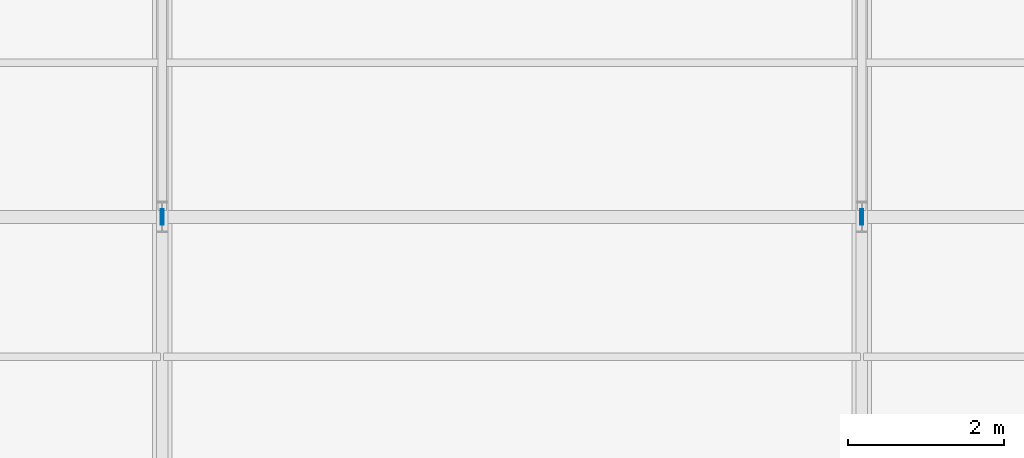
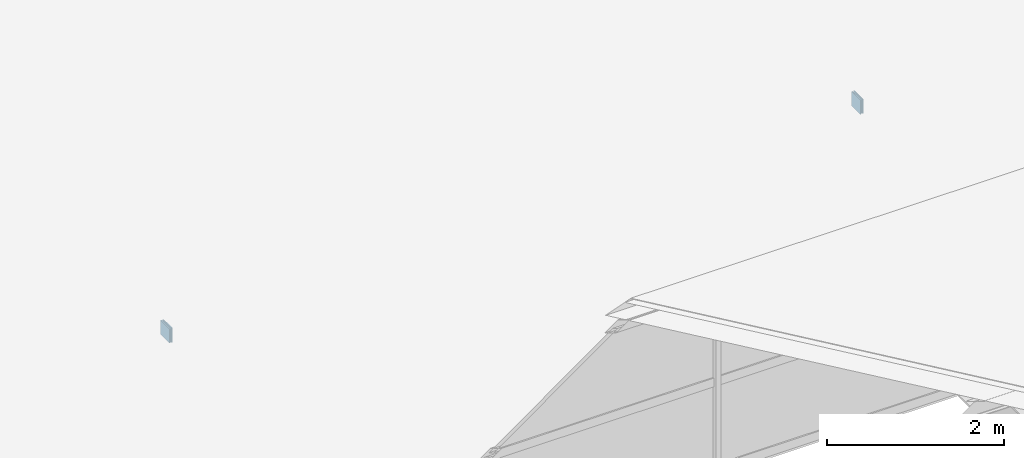
# One storey, part 138 of 163: 4 plates.
"""IFC4 building model written with IfcOpenShell, lengths in metres."""

import ifcopenshell
import ifcopenshell.guid

model = None  # the IFC model being written
_history = None  # IfcOwnerHistory: only IFC2X3 demands one
_inside = {}  # id of a spatial element -> (the spatial element, [elements in it])
_under = {}  # id of a project, library or spatial element -> (it, [spatial elements below it])
_declared = {}  # id of a project -> (the project, [libraries it declares])
_typed = {}  # id of a type object -> (the type object, [elements of that type])
_made_of = {}  # id of a material, layer set ... -> (it, [elements and type objects made of it])


def new_model(schema):
    """Start an empty IFC model of exactly this schema.

    Asked for "IFC4X3", IfcOpenShell would pick the latest addendum, in which some entities
    have other attributes; the version numbers below select the first issue.
    IFC2X3 requires an IfcOwnerHistory on every rooted entity: one is made here for all.
    """
    global model, _history
    if schema == "IFC4X3":
        model = ifcopenshell.file(schema_version=(4, 3, 0, 0))
    else:
        model = ifcopenshell.file(schema=schema)
    _inside.clear()
    _under.clear()
    _declared.clear()
    _typed.clear()
    _made_of.clear()
    _history = None
    if model.schema == "IFC2X3":
        org = make("IfcOrganization", Name="unknown")
        user = make(
            "IfcPersonAndOrganization",
            ThePerson=make("IfcPerson", FamilyName="unknown"),
            TheOrganization=org,
        )
        app = make(
            "IfcApplication",
            ApplicationDeveloper=org,
            Version="unknown",
            ApplicationFullName="unknown",
            ApplicationIdentifier="unknown",
        )
        _history = make(
            "IfcOwnerHistory",
            OwningUser=user,
            OwningApplication=app,
            ChangeAction="ADDED",
            CreationDate=0,
        )
    return model


def make(cls, **values):
    """One entity of the class cls with the attributes given. An attribute that is None is left unset."""
    return model.create_entity(
        cls, **{name: value for name, value in values.items() if value is not None}
    )


def rooted(cls, **values):
    """An entity with a GlobalId (a new one), such as an element, a storey or a relation."""
    return make(cls, GlobalId=ifcopenshell.guid.new(), OwnerHistory=_history, **values)


def si_unit(unit_type, name, prefix=None):
    """IfcSIUnit, for example si_unit("LENGTHUNIT", "METRE", prefix="MILLI")."""
    return make("IfcSIUnit", UnitType=unit_type, Prefix=prefix, Name=name)


def assignment(units):
    """IfcUnitAssignment: the units of a project."""
    return None if units is None else make("IfcUnitAssignment", Units=units)


def point(xyz):
    """IfcCartesianPoint."""
    return None if xyz is None else make("IfcCartesianPoint", Coordinates=xyz)


def direction(xyz):
    """IfcDirection."""
    return None if xyz is None else make("IfcDirection", DirectionRatios=xyz)


def frame(location, z_axis=None, x_axis=None):
    """IfcAxis2Placement3D, a coordinate frame: its origin and axes. An axis left out is left unset."""
    return make(
        "IfcAxis2Placement3D",
        Location=point(location),
        Axis=direction(z_axis),
        RefDirection=direction(x_axis),
    )


def frame_2d(location, x_axis=None):
    """IfcAxis2Placement2D, a coordinate frame in the plane: its origin and x axis."""
    return make(
        "IfcAxis2Placement2D", Location=point(location), RefDirection=direction(x_axis)
    )


def origin():
    """The frame at (0, 0, 0) with its axes left unset."""
    return frame((0.0, 0.0, 0.0))


def origin_2d():
    """The frame at (0, 0) in the plane with its x axis left unset."""
    return frame_2d((0.0, 0.0))


def place(relative_to, where):
    """IfcLocalPlacement: puts the frame where relative to a parent placement (None: the world)."""
    return make(
        "IfcLocalPlacement", PlacementRelTo=relative_to, RelativePlacement=where
    )


def context(
    kind, dimensions, precision=None, world=None, true_north=None, identifier=None
):
    """IfcGeometricRepresentationContext, for example the 3D "Model" context."""
    return make(
        "IfcGeometricRepresentationContext",
        ContextIdentifier=identifier,
        ContextType=kind,
        CoordinateSpaceDimension=dimensions,
        Precision=precision,
        WorldCoordinateSystem=world,
        TrueNorth=true_north,
    )


def subcontext(parent, identifier, kind, view, scale=None):
    """IfcGeometricRepresentationSubContext, for example "Body" below "Model"."""
    return make(
        "IfcGeometricRepresentationSubContext",
        ContextIdentifier=identifier,
        ContextType=kind,
        ParentContext=parent,
        TargetScale=scale,
        TargetView=view,
    )


def project(units=None, contexts=None):
    """IfcProject with its units and contexts."""
    return rooted(
        "IfcProject",
        Name="project",
        RepresentationContexts=contexts,
        UnitsInContext=assignment(units),
    )


def spatial(cls, under=None, at=None, **own):
    """A site, building, storey or space (cls), placed at a placement, below another one or the project."""
    s = rooted(cls, ObjectPlacement=at, **own)
    if under is not None:
        _under.setdefault(under.id(), (under, []))[1].append(s)
    return s


def profile(cls, at=None, kind="AREA", **sizes):
    """A parametric profile (cls). Its sizes go by their IFC names, for example OverallWidth=200.0."""
    return make(cls, ProfileType=kind, Position=at, **sizes)


def rectangle(**sizes):
    """IfcRectangleProfileDef."""
    return profile("IfcRectangleProfileDef", **sizes)


def extrude(swept, where, along, depth):
    """IfcExtrudedAreaSolid: the profile swept, set in the frame where, extruded along a direction by depth."""
    return make(
        "IfcExtrudedAreaSolid",
        SweptArea=swept,
        Position=where,
        ExtrudedDirection=direction(along),
        Depth=depth,
    )


def shape(context_of_items, identifier, shape_type, items):
    """IfcShapeRepresentation: the items that make up one representation, for example the "Body"."""
    return make(
        "IfcShapeRepresentation",
        ContextOfItems=context_of_items,
        RepresentationIdentifier=identifier,
        RepresentationType=shape_type,
        Items=items,
    )


def material(Name=None, Category=None):
    """IfcMaterial."""
    return make("IfcMaterial", Name=Name, Category=Category)


def layer(
    of_material, thickness, ventilated=None, Name=None, Category=None, Priority=None
):
    """IfcMaterialLayer: one layer of a wall or slab, of a material (None: an air gap)."""
    return make(
        "IfcMaterialLayer",
        Material=of_material,
        LayerThickness=thickness,
        IsVentilated=ventilated,
        Name=Name,
        Category=Category,
        Priority=Priority,
    )


def layer_set(layers, Name=None):
    """IfcMaterialLayerSet."""
    return make("IfcMaterialLayerSet", MaterialLayers=layers, LayerSetName=Name)


def made_of(thing, what):
    """Note that an element or type object is made of a material, layer set ...; save() writes the relation."""
    if what is not None:
        _made_of.setdefault(what.id(), (what, []))[1].append(thing)
    return thing


def type_object(cls, material=None, **own):
    """A type object (cls), such as IfcWallType, which elements share."""
    return made_of(rooted(cls, **own), material)


def element(
    cls,
    number,
    at=None,
    inside=None,
    cuts=None,
    type_object=None,
    material=None,
    context=None,
    identifier="Body",
    shape_type=None,
    held_by="IfcProductDefinitionShape",
    body=None,
    shapes=None,
    **own,
):
    """One element of the class cls, such as IfcWall. Its Tag is "e" and its number.

    at: its placement. inside: the storey or other place that contains it. cuts: it is an
    opening in that element (IfcRelVoidsElement). A single representation is given by context,
    identifier, shape_type and body (its items); several are given by shapes. held_by: the class
    of the entity that holds the representations. save() writes the other relations.
    """
    e = rooted(cls, Tag="e%d" % number, ObjectPlacement=at, **own)
    if body is not None:
        shapes = [shape(context, identifier, shape_type, body)]
    if shapes is not None:
        e.Representation = make(held_by, Representations=shapes)
    if inside is not None:
        _inside.setdefault(inside.id(), (inside, []))[1].append(e)
    if cuts is not None:
        rooted(
            "IfcRelVoidsElement", RelatingBuildingElement=cuts, RelatedOpeningElement=e
        )
    if type_object is not None:
        _typed.setdefault(type_object.id(), (type_object, []))[1].append(e)
    return made_of(e, material)


def aggregate(whole, parts):
    """IfcRelAggregates: a whole, such as a stair, and the parts it consists of."""
    return rooted("IfcRelAggregates", RelatingObject=whole, RelatedObjects=parts)


def save(model, path):
    """Write the relations noted so far, then the file.

    IfcRelAggregates (storeys below a building ...), IfcRelContainedInSpatialStructure (elements
    in a storey), IfcRelDefinesByType, IfcRelAssociatesMaterial and IfcRelDeclares: one each for
    every whole, place, type object, material and project.
    """
    for whole, parts in _under.values():
        aggregate(whole, parts)
    for where, things in _inside.values():
        rooted(
            "IfcRelContainedInSpatialStructure",
            RelatedElements=things,
            RelatingStructure=where,
        )
    for kind, things in _typed.values():
        rooted("IfcRelDefinesByType", RelatedObjects=things, RelatingType=kind)
    for what, things in _made_of.values():
        rooted("IfcRelAssociatesMaterial", RelatedObjects=things, RelatingMaterial=what)
    for by, libraries in _declared.values():
        rooted("IfcRelDeclares", RelatingContext=by, RelatedDefinitions=libraries)
    model.write(path)


model = new_model("IFC4")

# Units and contexts
model_context = context("Model", 3, precision=1e-05, world=origin(), true_north=direction((0.0, 1.0)))
body_context = subcontext(model_context, "Body", "Model", "MODEL_VIEW")
ifc_project = project(units=[si_unit("LENGTHUNIT", "METRE"), si_unit("AREAUNIT", "SQUARE_METRE"), si_unit("VOLUMEUNIT", "CUBIC_METRE"), si_unit("PLANEANGLEUNIT", "RADIAN"), si_unit("MASSUNIT", "GRAM", prefix="KILO")], contexts=[model_context])

# Site, building, storey
site_placement = place(None, origin())
site = spatial("IfcSite", under=ifc_project, at=site_placement, CompositionType="ELEMENT")
building_placement = place(site_placement, origin())
building = spatial("IfcBuilding", under=site, at=building_placement, Name="Tharagai Park Tramway Depot", CompositionType="ELEMENT")
storey_placement = place(building_placement, frame((0.0, 0.0, 8.39990234375)))
storey = spatial("IfcBuildingStorey", under=building, at=storey_placement, Name="L02", CompositionType="ELEMENT", Elevation=8.39990234375)

# Plates
ifc_material = material(Name="Steel E350", Category="steel")
ifc_layer = layer(ifc_material, 0.011962890625)
ifc_layer_set = layer_set([ifc_layer], Name="Steel E350")
plate_type = type_object("IfcPlateType", Name="GP-04", PredefinedType="SHEET", material=ifc_layer_set)
for number, where, z_axis, x_axis, name in (
    (1, (71.986083984375, 112.5, 1.847412109375), (0.0, 0.0, 1.0), (1.0, 0.0, 0.0), "Tube End Cap Plate GP-04"),
    (2, (72.013916015625, 112.5, 1.847412109375), (0.0, 0.0, 1.0), (1.0, 0.0, 0.0), "Tube End Cap Plate GP-04"),
    (3, (80.986083984375, 112.5, 1.847412109375), (0.0, 0.0, 1.0), (1.0, 0.0, 0.0), "Tube End Cap Plate GP-04"),
    (4, (81.013916015625, 112.5, 1.847412109375), (0.0, 0.0, 1.0), (1.0, 0.0, 0.0), "Tube End Cap Plate GP-04"),
):
    element("IfcPlate", number, at=place(storey_placement, frame(where, z_axis=z_axis, x_axis=x_axis)), inside=storey, type_object=plate_type, Name=name, PredefinedType="SHEET", context=body_context, shape_type="SweptSolid", body=[
        extrude(rectangle(XDim=0.011962890625, YDim=0.1982421875, at=origin_2d()), origin(), (0.0, 0.0, 1.0), 0.1982421875),
    ])

save(model, "model.ifc")
